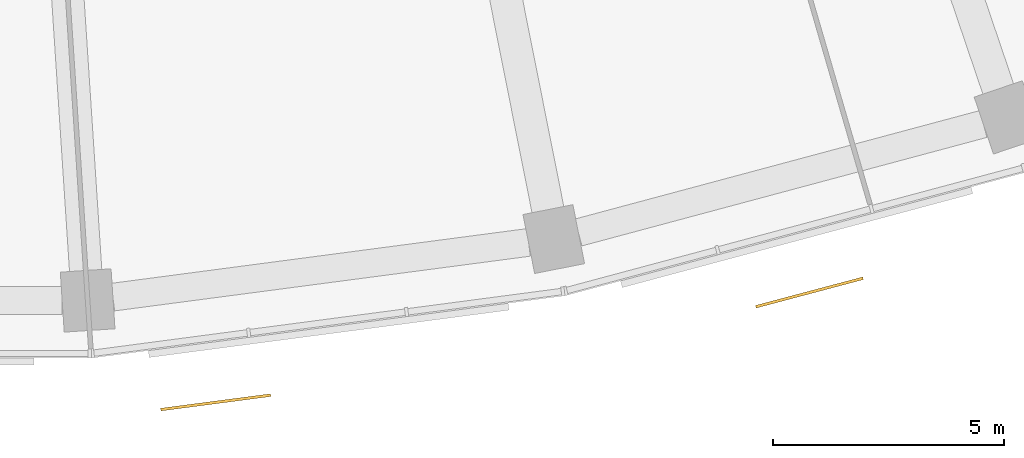
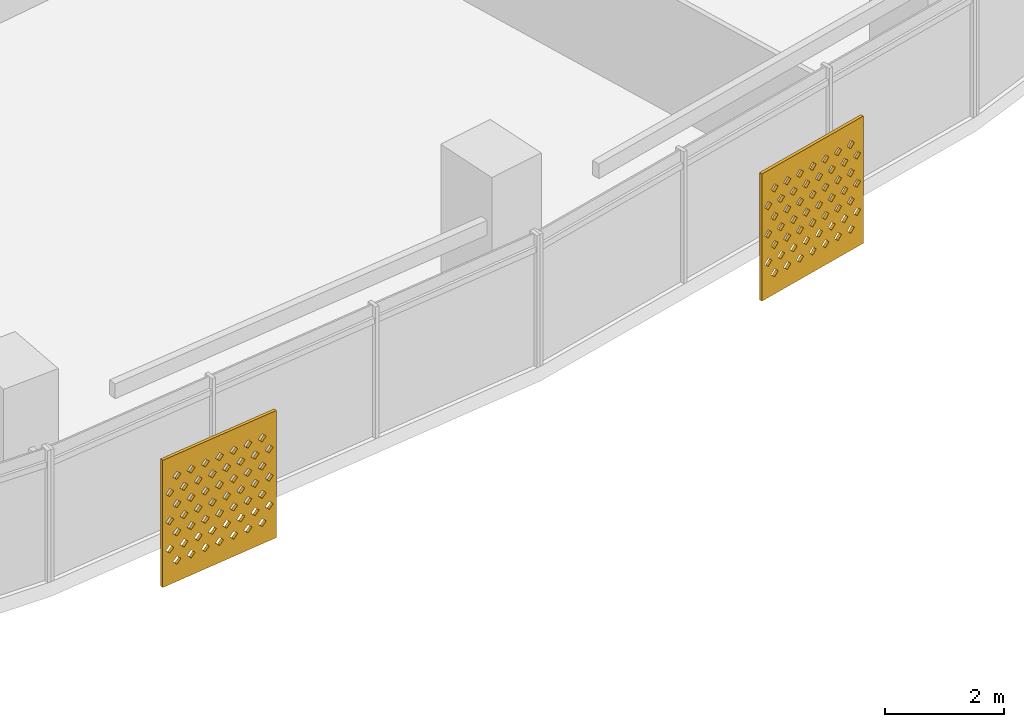
# One storey, part 25 of 27: 2 shading devices.
"""IFC4 building model written with IfcOpenShell, lengths in metres."""

from ifc_helpers import new_model, si_unit, direction, frame, origin, place, context, subcontext, project, spatial, polyline, outline, extrude, material, material_profile, profile_set, type_object, element, save


model = new_model("IFC4")

# Units and contexts
model_context = context("Model", 3, precision=1e-05, world=origin(), true_north=direction((0.0, 1.0)))
body_context = subcontext(model_context, "Body", "Model", "MODEL_VIEW")
ifc_project = project(units=[si_unit("LENGTHUNIT", "METRE"), si_unit("AREAUNIT", "SQUARE_METRE"), si_unit("VOLUMEUNIT", "CUBIC_METRE"), si_unit("PLANEANGLEUNIT", "RADIAN"), si_unit("MASSUNIT", "GRAM", prefix="KILO")], contexts=[model_context])

# Site, building, storey
site_placement = place(None, origin())
site = spatial("IfcSite", under=ifc_project, at=site_placement, CompositionType="ELEMENT")
building_placement = place(site_placement, origin())
building = spatial("IfcBuilding", under=site, at=building_placement, Name="Qamariyya Broadcast Tower", CompositionType="ELEMENT")
storey_placement = place(building_placement, frame((0.0, 0.0, 175.89990234375)))
storey = spatial("IfcBuildingStorey", under=building, at=storey_placement, Name="L41", CompositionType="ELEMENT", Elevation=175.89990234375)

# Shading devices
ifc_material = material(Name="Perforated glazed terracotta", Category="masonry")
ifc_material_profile = material_profile(ifc_material, outline(polyline([(-1.199951171875, -1.300048828125), (1.199951171875, -1.300048828125), (1.199951171875, 1.300048828125), (-1.199951171875, 1.300048828125), (-1.199951171875, -1.300048828125)]), holes=[polyline([(-0.81494140625, -0.86669921875), (-0.89990234375, -0.78173828125), (-0.985107421875, -0.86669921875), (-0.89990234375, -0.95166015625), (-0.81494140625, -0.86669921875)]), polyline([(-0.514892578125, -0.86669921875), (-0.60009765625, -0.78173828125), (-0.68505859375, -0.86669921875), (-0.60009765625, -0.95166015625), (-0.514892578125, -0.86669921875)]), polyline([(-0.215087890625, -0.86669921875), (-0.300048828125, -0.78173828125), (-0.385009765625, -0.86669921875), (-0.300048828125, -0.95166015625), (-0.215087890625, -0.86669921875)]), polyline([(0.0849609375, -0.86669921875), (0.0, -0.78173828125), (-0.0849609375, -0.86669921875), (0.0, -0.95166015625), (0.0849609375, -0.86669921875)]), polyline([(0.385009765625, -0.86669921875), (0.300048828125, -0.78173828125), (0.215087890625, -0.86669921875), (0.300048828125, -0.95166015625), (0.385009765625, -0.86669921875)]), polyline([(0.68505859375, -0.86669921875), (0.60009765625, -0.78173828125), (0.514892578125, -0.86669921875), (0.60009765625, -0.95166015625), (0.68505859375, -0.86669921875)]), polyline([(0.985107421875, -0.86669921875), (0.89990234375, -0.78173828125), (0.81494140625, -0.86669921875), (0.89990234375, -0.95166015625), (0.985107421875, -0.86669921875)]), polyline([(-0.965087890625, -0.577880859375), (-1.050048828125, -0.49267578125), (-1.135009765625, -0.577880859375), (-1.050048828125, -0.662841796875), (-0.965087890625, -0.577880859375)]), polyline([(-0.6650390625, -0.577880859375), (-0.75, -0.49267578125), (-0.8349609375, -0.577880859375), (-0.75, -0.662841796875), (-0.6650390625, -0.577880859375)]), polyline([(-0.364990234375, -0.577880859375), (-0.449951171875, -0.49267578125), (-0.534912109375, -0.577880859375), (-0.449951171875, -0.662841796875), (-0.364990234375, -0.577880859375)]), polyline([(-0.06494140625, -0.577880859375), (-0.14990234375, -0.49267578125), (-0.235107421875, -0.577880859375), (-0.14990234375, -0.662841796875), (-0.06494140625, -0.577880859375)]), polyline([(0.235107421875, -0.577880859375), (0.14990234375, -0.49267578125), (0.06494140625, -0.577880859375), (0.14990234375, -0.662841796875), (0.235107421875, -0.577880859375)]), polyline([(0.534912109375, -0.577880859375), (0.449951171875, -0.49267578125), (0.364990234375, -0.577880859375), (0.449951171875, -0.662841796875), (0.534912109375, -0.577880859375)]), polyline([(0.8349609375, -0.577880859375), (0.75, -0.49267578125), (0.6650390625, -0.577880859375), (0.75, -0.662841796875), (0.8349609375, -0.577880859375)]), polyline([(1.135009765625, -0.577880859375), (1.050048828125, -0.49267578125), (0.965087890625, -0.577880859375), (1.050048828125, -0.662841796875), (1.135009765625, -0.577880859375)]), polyline([(-0.81494140625, -0.288818359375), (-0.89990234375, -0.203857421875), (-0.985107421875, -0.288818359375), (-0.89990234375, -0.373779296875), (-0.81494140625, -0.288818359375)]), polyline([(-0.514892578125, -0.288818359375), (-0.60009765625, -0.203857421875), (-0.68505859375, -0.288818359375), (-0.60009765625, -0.373779296875), (-0.514892578125, -0.288818359375)]), polyline([(-0.215087890625, -0.288818359375), (-0.300048828125, -0.203857421875), (-0.385009765625, -0.288818359375), (-0.300048828125, -0.373779296875), (-0.215087890625, -0.288818359375)]), polyline([(0.0849609375, -0.288818359375), (0.0, -0.203857421875), (-0.0849609375, -0.288818359375), (0.0, -0.373779296875), (0.0849609375, -0.288818359375)]), polyline([(0.385009765625, -0.288818359375), (0.300048828125, -0.203857421875), (0.215087890625, -0.288818359375), (0.300048828125, -0.373779296875), (0.385009765625, -0.288818359375)]), polyline([(0.68505859375, -0.288818359375), (0.60009765625, -0.203857421875), (0.514892578125, -0.288818359375), (0.60009765625, -0.373779296875), (0.68505859375, -0.288818359375)]), polyline([(0.985107421875, -0.288818359375), (0.89990234375, -0.203857421875), (0.81494140625, -0.288818359375), (0.89990234375, -0.373779296875), (0.985107421875, -0.288818359375)]), polyline([(-0.965087890625, 0.0), (-1.050048828125, 0.0849609375), (-1.135009765625, 0.0), (-1.050048828125, -0.0849609375), (-0.965087890625, 0.0)]), polyline([(-0.6650390625, 0.0), (-0.75, 0.0849609375), (-0.8349609375, 0.0), (-0.75, -0.0849609375), (-0.6650390625, 0.0)]), polyline([(-0.364990234375, 0.0), (-0.449951171875, 0.0849609375), (-0.534912109375, 0.0), (-0.449951171875, -0.0849609375), (-0.364990234375, 0.0)]), polyline([(-0.06494140625, 0.0), (-0.14990234375, 0.0849609375), (-0.235107421875, 0.0), (-0.14990234375, -0.0849609375), (-0.06494140625, 0.0)]), polyline([(0.235107421875, 0.0), (0.14990234375, 0.0849609375), (0.06494140625, 0.0), (0.14990234375, -0.0849609375), (0.235107421875, 0.0)]), polyline([(0.534912109375, 0.0), (0.449951171875, 0.0849609375), (0.364990234375, 0.0), (0.449951171875, -0.0849609375), (0.534912109375, 0.0)]), polyline([(0.8349609375, 0.0), (0.75, 0.0849609375), (0.6650390625, 0.0), (0.75, -0.0849609375), (0.8349609375, 0.0)]), polyline([(1.135009765625, 0.0), (1.050048828125, 0.0849609375), (0.965087890625, 0.0), (1.050048828125, -0.0849609375), (1.135009765625, 0.0)]), polyline([(-0.81494140625, 0.288818359375), (-0.89990234375, 0.373779296875), (-0.985107421875, 0.288818359375), (-0.89990234375, 0.203857421875), (-0.81494140625, 0.288818359375)]), polyline([(-0.514892578125, 0.288818359375), (-0.60009765625, 0.373779296875), (-0.68505859375, 0.288818359375), (-0.60009765625, 0.203857421875), (-0.514892578125, 0.288818359375)]), polyline([(-0.215087890625, 0.288818359375), (-0.300048828125, 0.373779296875), (-0.385009765625, 0.288818359375), (-0.300048828125, 0.203857421875), (-0.215087890625, 0.288818359375)]), polyline([(0.0849609375, 0.288818359375), (0.0, 0.373779296875), (-0.0849609375, 0.288818359375), (0.0, 0.203857421875), (0.0849609375, 0.288818359375)]), polyline([(0.385009765625, 0.288818359375), (0.300048828125, 0.373779296875), (0.215087890625, 0.288818359375), (0.300048828125, 0.203857421875), (0.385009765625, 0.288818359375)]), polyline([(0.68505859375, 0.288818359375), (0.60009765625, 0.373779296875), (0.514892578125, 0.288818359375), (0.60009765625, 0.203857421875), (0.68505859375, 0.288818359375)]), polyline([(0.985107421875, 0.288818359375), (0.89990234375, 0.373779296875), (0.81494140625, 0.288818359375), (0.89990234375, 0.203857421875), (0.985107421875, 0.288818359375)]), polyline([(-0.965087890625, 0.577880859375), (-1.050048828125, 0.662841796875), (-1.135009765625, 0.577880859375), (-1.050048828125, 0.49267578125), (-0.965087890625, 0.577880859375)]), polyline([(-0.6650390625, 0.577880859375), (-0.75, 0.662841796875), (-0.8349609375, 0.577880859375), (-0.75, 0.49267578125), (-0.6650390625, 0.577880859375)]), polyline([(-0.364990234375, 0.577880859375), (-0.449951171875, 0.662841796875), (-0.534912109375, 0.577880859375), (-0.449951171875, 0.49267578125), (-0.364990234375, 0.577880859375)]), polyline([(-0.06494140625, 0.577880859375), (-0.14990234375, 0.662841796875), (-0.235107421875, 0.577880859375), (-0.14990234375, 0.49267578125), (-0.06494140625, 0.577880859375)]), polyline([(0.235107421875, 0.577880859375), (0.14990234375, 0.662841796875), (0.06494140625, 0.577880859375), (0.14990234375, 0.49267578125), (0.235107421875, 0.577880859375)]), polyline([(0.534912109375, 0.577880859375), (0.449951171875, 0.662841796875), (0.364990234375, 0.577880859375), (0.449951171875, 0.49267578125), (0.534912109375, 0.577880859375)]), polyline([(0.8349609375, 0.577880859375), (0.75, 0.662841796875), (0.6650390625, 0.577880859375), (0.75, 0.49267578125), (0.8349609375, 0.577880859375)]), polyline([(1.135009765625, 0.577880859375), (1.050048828125, 0.662841796875), (0.965087890625, 0.577880859375), (1.050048828125, 0.49267578125), (1.135009765625, 0.577880859375)]), polyline([(-0.81494140625, 0.86669921875), (-0.89990234375, 0.95166015625), (-0.985107421875, 0.86669921875), (-0.89990234375, 0.78173828125), (-0.81494140625, 0.86669921875)]), polyline([(-0.514892578125, 0.86669921875), (-0.60009765625, 0.95166015625), (-0.68505859375, 0.86669921875), (-0.60009765625, 0.78173828125), (-0.514892578125, 0.86669921875)]), polyline([(-0.215087890625, 0.86669921875), (-0.300048828125, 0.95166015625), (-0.385009765625, 0.86669921875), (-0.300048828125, 0.78173828125), (-0.215087890625, 0.86669921875)]), polyline([(0.0849609375, 0.86669921875), (0.0, 0.95166015625), (-0.0849609375, 0.86669921875), (0.0, 0.78173828125), (0.0849609375, 0.86669921875)]), polyline([(0.385009765625, 0.86669921875), (0.300048828125, 0.95166015625), (0.215087890625, 0.86669921875), (0.300048828125, 0.78173828125), (0.385009765625, 0.86669921875)]), polyline([(0.68505859375, 0.86669921875), (0.60009765625, 0.95166015625), (0.514892578125, 0.86669921875), (0.60009765625, 0.78173828125), (0.68505859375, 0.86669921875)]), polyline([(0.985107421875, 0.86669921875), (0.89990234375, 0.95166015625), (0.81494140625, 0.86669921875), (0.89990234375, 0.78173828125), (0.985107421875, 0.86669921875)])]))
ifc_profile_set = profile_set([ifc_material_profile], Name="Perforated glazed terracotta")
shading_device_type = type_object("IfcShadingDeviceType", Name="Perforated terracotta screen 2400 x 2600", PredefinedType="USERDEFINED", material=ifc_profile_set)
shading_device_1_placement = place(storey_placement, frame((7.8525390625, -79.75830078125, 1.35009765625), z_axis=(0.13056005306, -0.991440402921, 0.0), x_axis=(0.991440402921, 0.13056005306, 0.0)))
element("IfcShadingDevice", 1, at=shading_device_1_placement, inside=storey, type_object=shading_device_type, Name="e-scr-L41-08-0", ObjectType="SCREEN", PredefinedType="USERDEFINED", context=body_context, shape_type="SweptSolid", body=[
    extrude(outline(polyline([(-1.199951171875, -1.300048828125), (1.199951171875, -1.300048828125), (1.199951171875, 1.300048828125), (-1.199951171875, 1.300048828125), (-1.199951171875, -1.300048828125)]), holes=[polyline([(-0.81494140625, -0.86669921875), (-0.89990234375, -0.78173828125), (-0.985107421875, -0.86669921875), (-0.89990234375, -0.95166015625), (-0.81494140625, -0.86669921875)]), polyline([(-0.514892578125, -0.86669921875), (-0.60009765625, -0.78173828125), (-0.68505859375, -0.86669921875), (-0.60009765625, -0.95166015625), (-0.514892578125, -0.86669921875)]), polyline([(-0.215087890625, -0.86669921875), (-0.300048828125, -0.78173828125), (-0.385009765625, -0.86669921875), (-0.300048828125, -0.95166015625), (-0.215087890625, -0.86669921875)]), polyline([(0.0849609375, -0.86669921875), (0.0, -0.78173828125), (-0.0849609375, -0.86669921875), (0.0, -0.95166015625), (0.0849609375, -0.86669921875)]), polyline([(0.385009765625, -0.86669921875), (0.300048828125, -0.78173828125), (0.215087890625, -0.86669921875), (0.300048828125, -0.95166015625), (0.385009765625, -0.86669921875)]), polyline([(0.68505859375, -0.86669921875), (0.60009765625, -0.78173828125), (0.514892578125, -0.86669921875), (0.60009765625, -0.95166015625), (0.68505859375, -0.86669921875)]), polyline([(0.985107421875, -0.86669921875), (0.89990234375, -0.78173828125), (0.81494140625, -0.86669921875), (0.89990234375, -0.95166015625), (0.985107421875, -0.86669921875)]), polyline([(-0.965087890625, -0.577880859375), (-1.050048828125, -0.49267578125), (-1.135009765625, -0.577880859375), (-1.050048828125, -0.662841796875), (-0.965087890625, -0.577880859375)]), polyline([(-0.6650390625, -0.577880859375), (-0.75, -0.49267578125), (-0.8349609375, -0.577880859375), (-0.75, -0.662841796875), (-0.6650390625, -0.577880859375)]), polyline([(-0.364990234375, -0.577880859375), (-0.449951171875, -0.49267578125), (-0.534912109375, -0.577880859375), (-0.449951171875, -0.662841796875), (-0.364990234375, -0.577880859375)]), polyline([(-0.06494140625, -0.577880859375), (-0.14990234375, -0.49267578125), (-0.235107421875, -0.577880859375), (-0.14990234375, -0.662841796875), (-0.06494140625, -0.577880859375)]), polyline([(0.235107421875, -0.577880859375), (0.14990234375, -0.49267578125), (0.06494140625, -0.577880859375), (0.14990234375, -0.662841796875), (0.235107421875, -0.577880859375)]), polyline([(0.534912109375, -0.577880859375), (0.449951171875, -0.49267578125), (0.364990234375, -0.577880859375), (0.449951171875, -0.662841796875), (0.534912109375, -0.577880859375)]), polyline([(0.8349609375, -0.577880859375), (0.75, -0.49267578125), (0.6650390625, -0.577880859375), (0.75, -0.662841796875), (0.8349609375, -0.577880859375)]), polyline([(1.135009765625, -0.577880859375), (1.050048828125, -0.49267578125), (0.965087890625, -0.577880859375), (1.050048828125, -0.662841796875), (1.135009765625, -0.577880859375)]), polyline([(-0.81494140625, -0.288818359375), (-0.89990234375, -0.203857421875), (-0.985107421875, -0.288818359375), (-0.89990234375, -0.373779296875), (-0.81494140625, -0.288818359375)]), polyline([(-0.514892578125, -0.288818359375), (-0.60009765625, -0.203857421875), (-0.68505859375, -0.288818359375), (-0.60009765625, -0.373779296875), (-0.514892578125, -0.288818359375)]), polyline([(-0.215087890625, -0.288818359375), (-0.300048828125, -0.203857421875), (-0.385009765625, -0.288818359375), (-0.300048828125, -0.373779296875), (-0.215087890625, -0.288818359375)]), polyline([(0.0849609375, -0.288818359375), (0.0, -0.203857421875), (-0.0849609375, -0.288818359375), (0.0, -0.373779296875), (0.0849609375, -0.288818359375)]), polyline([(0.385009765625, -0.288818359375), (0.300048828125, -0.203857421875), (0.215087890625, -0.288818359375), (0.300048828125, -0.373779296875), (0.385009765625, -0.288818359375)]), polyline([(0.68505859375, -0.288818359375), (0.60009765625, -0.203857421875), (0.514892578125, -0.288818359375), (0.60009765625, -0.373779296875), (0.68505859375, -0.288818359375)]), polyline([(0.985107421875, -0.288818359375), (0.89990234375, -0.203857421875), (0.81494140625, -0.288818359375), (0.89990234375, -0.373779296875), (0.985107421875, -0.288818359375)]), polyline([(-0.965087890625, 0.0), (-1.050048828125, 0.0849609375), (-1.135009765625, 0.0), (-1.050048828125, -0.0849609375), (-0.965087890625, 0.0)]), polyline([(-0.6650390625, 0.0), (-0.75, 0.0849609375), (-0.8349609375, 0.0), (-0.75, -0.0849609375), (-0.6650390625, 0.0)]), polyline([(-0.364990234375, 0.0), (-0.449951171875, 0.0849609375), (-0.534912109375, 0.0), (-0.449951171875, -0.0849609375), (-0.364990234375, 0.0)]), polyline([(-0.06494140625, 0.0), (-0.14990234375, 0.0849609375), (-0.235107421875, 0.0), (-0.14990234375, -0.0849609375), (-0.06494140625, 0.0)]), polyline([(0.235107421875, 0.0), (0.14990234375, 0.0849609375), (0.06494140625, 0.0), (0.14990234375, -0.0849609375), (0.235107421875, 0.0)]), polyline([(0.534912109375, 0.0), (0.449951171875, 0.0849609375), (0.364990234375, 0.0), (0.449951171875, -0.0849609375), (0.534912109375, 0.0)]), polyline([(0.8349609375, 0.0), (0.75, 0.0849609375), (0.6650390625, 0.0), (0.75, -0.0849609375), (0.8349609375, 0.0)]), polyline([(1.135009765625, 0.0), (1.050048828125, 0.0849609375), (0.965087890625, 0.0), (1.050048828125, -0.0849609375), (1.135009765625, 0.0)]), polyline([(-0.81494140625, 0.288818359375), (-0.89990234375, 0.373779296875), (-0.985107421875, 0.288818359375), (-0.89990234375, 0.203857421875), (-0.81494140625, 0.288818359375)]), polyline([(-0.514892578125, 0.288818359375), (-0.60009765625, 0.373779296875), (-0.68505859375, 0.288818359375), (-0.60009765625, 0.203857421875), (-0.514892578125, 0.288818359375)]), polyline([(-0.215087890625, 0.288818359375), (-0.300048828125, 0.373779296875), (-0.385009765625, 0.288818359375), (-0.300048828125, 0.203857421875), (-0.215087890625, 0.288818359375)]), polyline([(0.0849609375, 0.288818359375), (0.0, 0.373779296875), (-0.0849609375, 0.288818359375), (0.0, 0.203857421875), (0.0849609375, 0.288818359375)]), polyline([(0.385009765625, 0.288818359375), (0.300048828125, 0.373779296875), (0.215087890625, 0.288818359375), (0.300048828125, 0.203857421875), (0.385009765625, 0.288818359375)]), polyline([(0.68505859375, 0.288818359375), (0.60009765625, 0.373779296875), (0.514892578125, 0.288818359375), (0.60009765625, 0.203857421875), (0.68505859375, 0.288818359375)]), polyline([(0.985107421875, 0.288818359375), (0.89990234375, 0.373779296875), (0.81494140625, 0.288818359375), (0.89990234375, 0.203857421875), (0.985107421875, 0.288818359375)]), polyline([(-0.965087890625, 0.577880859375), (-1.050048828125, 0.662841796875), (-1.135009765625, 0.577880859375), (-1.050048828125, 0.49267578125), (-0.965087890625, 0.577880859375)]), polyline([(-0.6650390625, 0.577880859375), (-0.75, 0.662841796875), (-0.8349609375, 0.577880859375), (-0.75, 0.49267578125), (-0.6650390625, 0.577880859375)]), polyline([(-0.364990234375, 0.577880859375), (-0.449951171875, 0.662841796875), (-0.534912109375, 0.577880859375), (-0.449951171875, 0.49267578125), (-0.364990234375, 0.577880859375)]), polyline([(-0.06494140625, 0.577880859375), (-0.14990234375, 0.662841796875), (-0.235107421875, 0.577880859375), (-0.14990234375, 0.49267578125), (-0.06494140625, 0.577880859375)]), polyline([(0.235107421875, 0.577880859375), (0.14990234375, 0.662841796875), (0.06494140625, 0.577880859375), (0.14990234375, 0.49267578125), (0.235107421875, 0.577880859375)]), polyline([(0.534912109375, 0.577880859375), (0.449951171875, 0.662841796875), (0.364990234375, 0.577880859375), (0.449951171875, 0.49267578125), (0.534912109375, 0.577880859375)]), polyline([(0.8349609375, 0.577880859375), (0.75, 0.662841796875), (0.6650390625, 0.577880859375), (0.75, 0.49267578125), (0.8349609375, 0.577880859375)]), polyline([(1.135009765625, 0.577880859375), (1.050048828125, 0.662841796875), (0.965087890625, 0.577880859375), (1.050048828125, 0.49267578125), (1.135009765625, 0.577880859375)]), polyline([(-0.81494140625, 0.86669921875), (-0.89990234375, 0.95166015625), (-0.985107421875, 0.86669921875), (-0.89990234375, 0.78173828125), (-0.81494140625, 0.86669921875)]), polyline([(-0.514892578125, 0.86669921875), (-0.60009765625, 0.95166015625), (-0.68505859375, 0.86669921875), (-0.60009765625, 0.78173828125), (-0.514892578125, 0.86669921875)]), polyline([(-0.215087890625, 0.86669921875), (-0.300048828125, 0.95166015625), (-0.385009765625, 0.86669921875), (-0.300048828125, 0.78173828125), (-0.215087890625, 0.86669921875)]), polyline([(0.0849609375, 0.86669921875), (0.0, 0.95166015625), (-0.0849609375, 0.86669921875), (0.0, 0.78173828125), (0.0849609375, 0.86669921875)]), polyline([(0.385009765625, 0.86669921875), (0.300048828125, 0.95166015625), (0.215087890625, 0.86669921875), (0.300048828125, 0.78173828125), (0.385009765625, 0.86669921875)]), polyline([(0.68505859375, 0.86669921875), (0.60009765625, 0.95166015625), (0.514892578125, 0.86669921875), (0.60009765625, 0.78173828125), (0.68505859375, 0.86669921875)]), polyline([(0.985107421875, 0.86669921875), (0.89990234375, 0.95166015625), (0.81494140625, 0.86669921875), (0.89990234375, 0.78173828125), (0.985107421875, 0.86669921875)])]), origin(), (0.0, 0.0, 1.0), 0.059814453125),
])
shading_device_2_placement = place(storey_placement, frame((20.69140625, -77.38232421875, 1.35009765625), z_axis=(0.256901156343, -0.966437683387, 0.0), x_axis=(0.966437683387, 0.256901156343, 0.0)))
element("IfcShadingDevice", 2, at=shading_device_2_placement, inside=storey, type_object=shading_device_type, Name="e-scr-L41-09-1", ObjectType="SCREEN", PredefinedType="USERDEFINED", context=body_context, shape_type="SweptSolid", body=[
    extrude(outline(polyline([(-1.199951171875, -1.300048828125), (1.199951171875, -1.300048828125), (1.199951171875, 1.300048828125), (-1.199951171875, 1.300048828125), (-1.199951171875, -1.300048828125)]), holes=[polyline([(-0.81494140625, -0.86669921875), (-0.89990234375, -0.78173828125), (-0.985107421875, -0.86669921875), (-0.89990234375, -0.95166015625), (-0.81494140625, -0.86669921875)]), polyline([(-0.514892578125, -0.86669921875), (-0.60009765625, -0.78173828125), (-0.68505859375, -0.86669921875), (-0.60009765625, -0.95166015625), (-0.514892578125, -0.86669921875)]), polyline([(-0.215087890625, -0.86669921875), (-0.300048828125, -0.78173828125), (-0.385009765625, -0.86669921875), (-0.300048828125, -0.95166015625), (-0.215087890625, -0.86669921875)]), polyline([(0.0849609375, -0.86669921875), (0.0, -0.78173828125), (-0.0849609375, -0.86669921875), (0.0, -0.95166015625), (0.0849609375, -0.86669921875)]), polyline([(0.385009765625, -0.86669921875), (0.300048828125, -0.78173828125), (0.215087890625, -0.86669921875), (0.300048828125, -0.95166015625), (0.385009765625, -0.86669921875)]), polyline([(0.68505859375, -0.86669921875), (0.60009765625, -0.78173828125), (0.514892578125, -0.86669921875), (0.60009765625, -0.95166015625), (0.68505859375, -0.86669921875)]), polyline([(0.985107421875, -0.86669921875), (0.89990234375, -0.78173828125), (0.81494140625, -0.86669921875), (0.89990234375, -0.95166015625), (0.985107421875, -0.86669921875)]), polyline([(-0.965087890625, -0.577880859375), (-1.050048828125, -0.49267578125), (-1.135009765625, -0.577880859375), (-1.050048828125, -0.662841796875), (-0.965087890625, -0.577880859375)]), polyline([(-0.6650390625, -0.577880859375), (-0.75, -0.49267578125), (-0.8349609375, -0.577880859375), (-0.75, -0.662841796875), (-0.6650390625, -0.577880859375)]), polyline([(-0.364990234375, -0.577880859375), (-0.449951171875, -0.49267578125), (-0.534912109375, -0.577880859375), (-0.449951171875, -0.662841796875), (-0.364990234375, -0.577880859375)]), polyline([(-0.06494140625, -0.577880859375), (-0.14990234375, -0.49267578125), (-0.235107421875, -0.577880859375), (-0.14990234375, -0.662841796875), (-0.06494140625, -0.577880859375)]), polyline([(0.235107421875, -0.577880859375), (0.14990234375, -0.49267578125), (0.06494140625, -0.577880859375), (0.14990234375, -0.662841796875), (0.235107421875, -0.577880859375)]), polyline([(0.534912109375, -0.577880859375), (0.449951171875, -0.49267578125), (0.364990234375, -0.577880859375), (0.449951171875, -0.662841796875), (0.534912109375, -0.577880859375)]), polyline([(0.8349609375, -0.577880859375), (0.75, -0.49267578125), (0.6650390625, -0.577880859375), (0.75, -0.662841796875), (0.8349609375, -0.577880859375)]), polyline([(1.135009765625, -0.577880859375), (1.050048828125, -0.49267578125), (0.965087890625, -0.577880859375), (1.050048828125, -0.662841796875), (1.135009765625, -0.577880859375)]), polyline([(-0.81494140625, -0.288818359375), (-0.89990234375, -0.203857421875), (-0.985107421875, -0.288818359375), (-0.89990234375, -0.373779296875), (-0.81494140625, -0.288818359375)]), polyline([(-0.514892578125, -0.288818359375), (-0.60009765625, -0.203857421875), (-0.68505859375, -0.288818359375), (-0.60009765625, -0.373779296875), (-0.514892578125, -0.288818359375)]), polyline([(-0.215087890625, -0.288818359375), (-0.300048828125, -0.203857421875), (-0.385009765625, -0.288818359375), (-0.300048828125, -0.373779296875), (-0.215087890625, -0.288818359375)]), polyline([(0.0849609375, -0.288818359375), (0.0, -0.203857421875), (-0.0849609375, -0.288818359375), (0.0, -0.373779296875), (0.0849609375, -0.288818359375)]), polyline([(0.385009765625, -0.288818359375), (0.300048828125, -0.203857421875), (0.215087890625, -0.288818359375), (0.300048828125, -0.373779296875), (0.385009765625, -0.288818359375)]), polyline([(0.68505859375, -0.288818359375), (0.60009765625, -0.203857421875), (0.514892578125, -0.288818359375), (0.60009765625, -0.373779296875), (0.68505859375, -0.288818359375)]), polyline([(0.985107421875, -0.288818359375), (0.89990234375, -0.203857421875), (0.81494140625, -0.288818359375), (0.89990234375, -0.373779296875), (0.985107421875, -0.288818359375)]), polyline([(-0.965087890625, 0.0), (-1.050048828125, 0.0849609375), (-1.135009765625, 0.0), (-1.050048828125, -0.0849609375), (-0.965087890625, 0.0)]), polyline([(-0.6650390625, 0.0), (-0.75, 0.0849609375), (-0.8349609375, 0.0), (-0.75, -0.0849609375), (-0.6650390625, 0.0)]), polyline([(-0.364990234375, 0.0), (-0.449951171875, 0.0849609375), (-0.534912109375, 0.0), (-0.449951171875, -0.0849609375), (-0.364990234375, 0.0)]), polyline([(-0.06494140625, 0.0), (-0.14990234375, 0.0849609375), (-0.235107421875, 0.0), (-0.14990234375, -0.0849609375), (-0.06494140625, 0.0)]), polyline([(0.235107421875, 0.0), (0.14990234375, 0.0849609375), (0.06494140625, 0.0), (0.14990234375, -0.0849609375), (0.235107421875, 0.0)]), polyline([(0.534912109375, 0.0), (0.449951171875, 0.0849609375), (0.364990234375, 0.0), (0.449951171875, -0.0849609375), (0.534912109375, 0.0)]), polyline([(0.8349609375, 0.0), (0.75, 0.0849609375), (0.6650390625, 0.0), (0.75, -0.0849609375), (0.8349609375, 0.0)]), polyline([(1.135009765625, 0.0), (1.050048828125, 0.0849609375), (0.965087890625, 0.0), (1.050048828125, -0.0849609375), (1.135009765625, 0.0)]), polyline([(-0.81494140625, 0.288818359375), (-0.89990234375, 0.373779296875), (-0.985107421875, 0.288818359375), (-0.89990234375, 0.203857421875), (-0.81494140625, 0.288818359375)]), polyline([(-0.514892578125, 0.288818359375), (-0.60009765625, 0.373779296875), (-0.68505859375, 0.288818359375), (-0.60009765625, 0.203857421875), (-0.514892578125, 0.288818359375)]), polyline([(-0.215087890625, 0.288818359375), (-0.300048828125, 0.373779296875), (-0.385009765625, 0.288818359375), (-0.300048828125, 0.203857421875), (-0.215087890625, 0.288818359375)]), polyline([(0.0849609375, 0.288818359375), (0.0, 0.373779296875), (-0.0849609375, 0.288818359375), (0.0, 0.203857421875), (0.0849609375, 0.288818359375)]), polyline([(0.385009765625, 0.288818359375), (0.300048828125, 0.373779296875), (0.215087890625, 0.288818359375), (0.300048828125, 0.203857421875), (0.385009765625, 0.288818359375)]), polyline([(0.68505859375, 0.288818359375), (0.60009765625, 0.373779296875), (0.514892578125, 0.288818359375), (0.60009765625, 0.203857421875), (0.68505859375, 0.288818359375)]), polyline([(0.985107421875, 0.288818359375), (0.89990234375, 0.373779296875), (0.81494140625, 0.288818359375), (0.89990234375, 0.203857421875), (0.985107421875, 0.288818359375)]), polyline([(-0.965087890625, 0.577880859375), (-1.050048828125, 0.662841796875), (-1.135009765625, 0.577880859375), (-1.050048828125, 0.49267578125), (-0.965087890625, 0.577880859375)]), polyline([(-0.6650390625, 0.577880859375), (-0.75, 0.662841796875), (-0.8349609375, 0.577880859375), (-0.75, 0.49267578125), (-0.6650390625, 0.577880859375)]), polyline([(-0.364990234375, 0.577880859375), (-0.449951171875, 0.662841796875), (-0.534912109375, 0.577880859375), (-0.449951171875, 0.49267578125), (-0.364990234375, 0.577880859375)]), polyline([(-0.06494140625, 0.577880859375), (-0.14990234375, 0.662841796875), (-0.235107421875, 0.577880859375), (-0.14990234375, 0.49267578125), (-0.06494140625, 0.577880859375)]), polyline([(0.235107421875, 0.577880859375), (0.14990234375, 0.662841796875), (0.06494140625, 0.577880859375), (0.14990234375, 0.49267578125), (0.235107421875, 0.577880859375)]), polyline([(0.534912109375, 0.577880859375), (0.449951171875, 0.662841796875), (0.364990234375, 0.577880859375), (0.449951171875, 0.49267578125), (0.534912109375, 0.577880859375)]), polyline([(0.8349609375, 0.577880859375), (0.75, 0.662841796875), (0.6650390625, 0.577880859375), (0.75, 0.49267578125), (0.8349609375, 0.577880859375)]), polyline([(1.135009765625, 0.577880859375), (1.050048828125, 0.662841796875), (0.965087890625, 0.577880859375), (1.050048828125, 0.49267578125), (1.135009765625, 0.577880859375)]), polyline([(-0.81494140625, 0.86669921875), (-0.89990234375, 0.95166015625), (-0.985107421875, 0.86669921875), (-0.89990234375, 0.78173828125), (-0.81494140625, 0.86669921875)]), polyline([(-0.514892578125, 0.86669921875), (-0.60009765625, 0.95166015625), (-0.68505859375, 0.86669921875), (-0.60009765625, 0.78173828125), (-0.514892578125, 0.86669921875)]), polyline([(-0.215087890625, 0.86669921875), (-0.300048828125, 0.95166015625), (-0.385009765625, 0.86669921875), (-0.300048828125, 0.78173828125), (-0.215087890625, 0.86669921875)]), polyline([(0.0849609375, 0.86669921875), (0.0, 0.95166015625), (-0.0849609375, 0.86669921875), (0.0, 0.78173828125), (0.0849609375, 0.86669921875)]), polyline([(0.385009765625, 0.86669921875), (0.300048828125, 0.95166015625), (0.215087890625, 0.86669921875), (0.300048828125, 0.78173828125), (0.385009765625, 0.86669921875)]), polyline([(0.68505859375, 0.86669921875), (0.60009765625, 0.95166015625), (0.514892578125, 0.86669921875), (0.60009765625, 0.78173828125), (0.68505859375, 0.86669921875)]), polyline([(0.985107421875, 0.86669921875), (0.89990234375, 0.95166015625), (0.81494140625, 0.86669921875), (0.89990234375, 0.78173828125), (0.985107421875, 0.86669921875)])]), origin(), (0.0, 0.0, 1.0), 0.059814453125),
])

save(model, "model.ifc")
